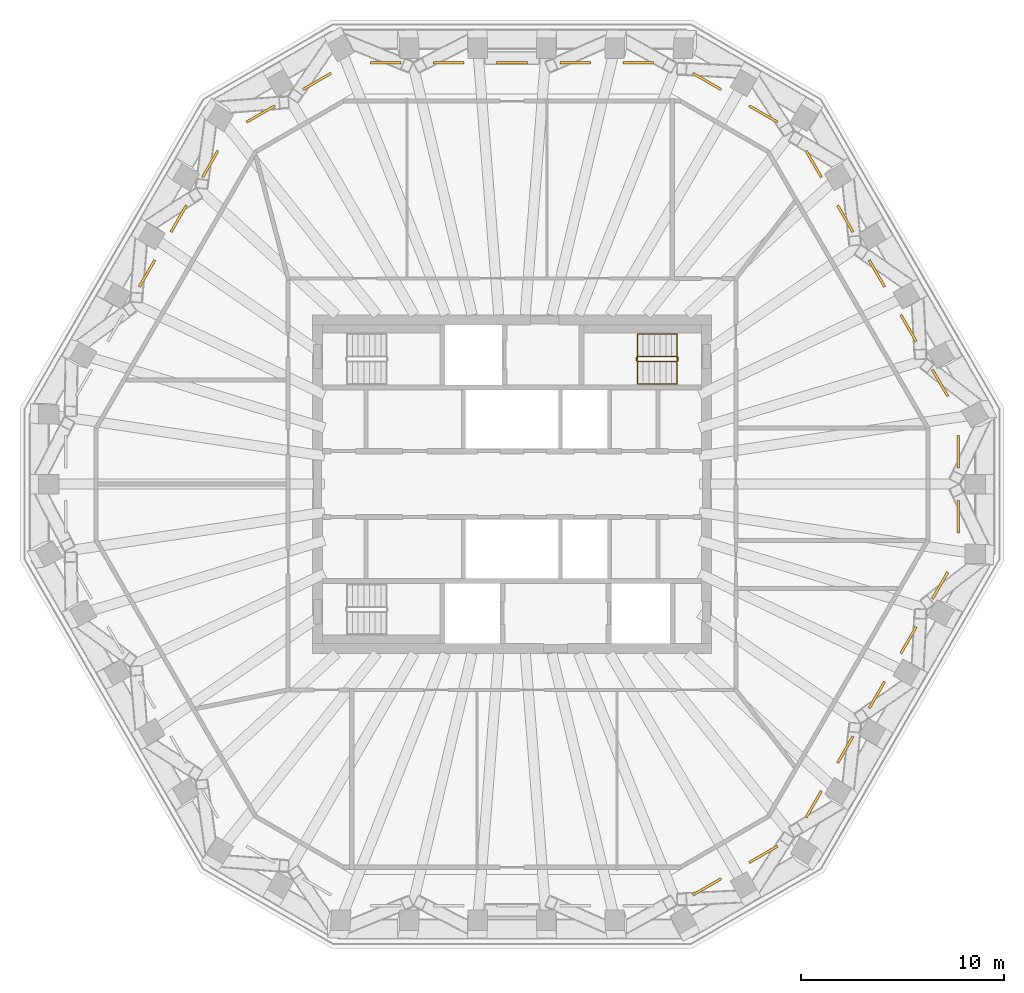
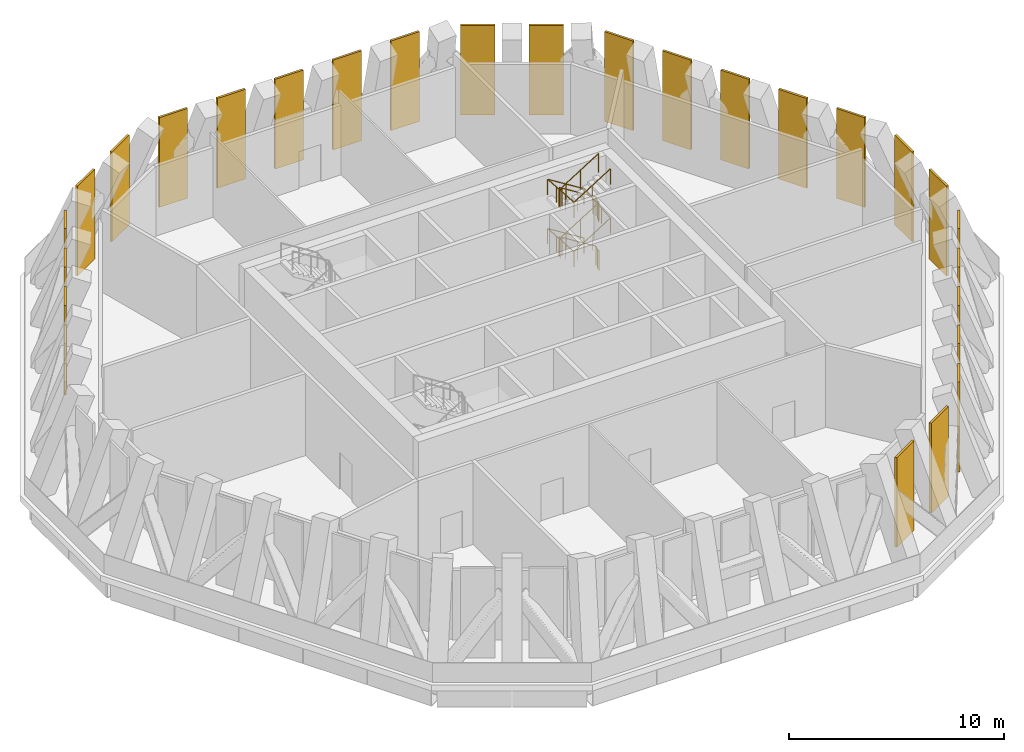
# One storey, part 9 of 9: 26 coverings, 2 railings.
"""IFC4 building model written with IfcOpenShell, lengths in metres."""

from ifc_helpers import new_model, si_unit, direction, frame, origin, origin_2d, place, context, subcontext, project, spatial, polyline, circle, outline, extrude, material, layer, layer_set, type_object, element, save


model = new_model("IFC4")

# Units and contexts
model_context = context("Model", 3, precision=1e-05, world=origin(), true_north=direction((0.0, 1.0)))
body_context = subcontext(model_context, "Body", "Model", "MODEL_VIEW")
ifc_project = project(units=[si_unit("LENGTHUNIT", "METRE"), si_unit("AREAUNIT", "SQUARE_METRE"), si_unit("VOLUMEUNIT", "CUBIC_METRE"), si_unit("PLANEANGLEUNIT", "RADIAN"), si_unit("MASSUNIT", "GRAM", prefix="KILO")], contexts=[model_context])

# Site, building, storey
site_placement = place(None, origin())
site = spatial("IfcSite", under=ifc_project, at=site_placement, CompositionType="ELEMENT")
building_placement = place(site_placement, origin())
building = spatial("IfcBuilding", under=site, at=building_placement, Name="Frailejon Research Tower", CompositionType="ELEMENT")
storey_placement = place(building_placement, frame((0.0, 0.0, 303.0)))
storey = spatial("IfcBuildingStorey", under=building, at=storey_placement, Name="L67", CompositionType="ELEMENT", Elevation=303.0)

# Coverings
ifc_material_1 = material(Name="Anodised aluminium louvres", Category="aluminium")
ifc_layer = layer(ifc_material_1, 0.1201171875)
ifc_layer_set = layer_set([ifc_layer], Name="Plant louvre screen 120")
covering_type = type_object("IfcCoveringType", Name="Plant louvre screen 120", PredefinedType="CLADDING", material=ifc_layer_set)
for number, where, z_axis, x_axis, name in (
    (1, (22.077392578125, -0.800048828125, 0.0), (0.0, -1.0, 0.0), (1.0, 0.0, 0.0), "Plant louvre screen L67"),
    (2, (22.077392578125, 2.406005859375, 0.0), (0.0, -1.0, 0.0), (1.0, 0.0, 0.0), "Plant louvre screen L67"),
):
    element("IfcCovering", number, at=place(storey_placement, frame(where, z_axis=z_axis, x_axis=x_axis)), inside=storey, type_object=covering_type, Name=name, PredefinedType="CLADDING", context=body_context, shape_type="SweptSolid", body=[
        extrude(outline(polyline([(-0.1201171875, 0.0), (0.0, 0.0), (0.0, 5.10009765625), (-0.1201171875, 5.10009765625), (-0.1201171875, 0.0)])), origin(), (0.0, 0.0, 1.0), 1.606201171875),
    ])
for number, where, z_axis, x_axis, name in (
    (3, (20.792724609375, 5.685791015625, 0.0), (0.499999433811, -0.866025730673, 0.0), (0.866025730673, 0.499999433811, 0.0), "Plant louvre screen L67"),
    (4, (19.2353515625, 8.38330078125, 0.0), (0.500009610163, -0.866019855283, 0.0), (0.866019855283, 0.500009610163, 0.0), "Plant louvre screen L67"),
    (5, (17.677978515625, 11.0810546875, 0.0), (0.499985532315, -0.866033756545, 0.0), (0.866033756545, 0.499985532315, 0.0), "Plant louvre screen L67"),
    (6, (16.120361328125, 13.778564453125, 0.0), (0.500009610163, -0.866019855283, 0.0), (0.866019855283, 0.500009610163, 0.0), "Plant louvre screen L67"),
    (7, (14.56298828125, 16.47607421875, 0.0), (0.499999433811, -0.866025730673, 0.0), (0.866025730673, 0.499999433811, 0.0), "Plant louvre screen L67"),
):
    element("IfcCovering", number, at=place(storey_placement, frame(where, z_axis=z_axis, x_axis=x_axis)), inside=storey, type_object=covering_type, Name=name, PredefinedType="CLADDING", context=body_context, shape_type="SweptSolid", body=[
        extrude(outline(polyline([(-0.1201171875, 0.0), (0.0, 0.0), (0.0, 5.10009765625), (-0.1201171875, 5.10009765625), (-0.1201171875, 0.0)])), origin(), (0.0, 0.0, 1.0), 1.514892578125),
    ])
for number, where, z_axis, x_axis, name in (
    (8, (11.731689453125, 18.7197265625, 0.0), (0.86601365609, -0.500020347052, 0.0), (0.500020347052, 0.86601365609, 0.0), "Plant louvre screen L67"),
    (9, (8.955078125, 20.32275390625, 0.0), (0.866034959906, -0.499983447946, 0.0), (0.499983447946, 0.866034959906, 0.0), "Plant louvre screen L67"),
):
    element("IfcCovering", number, at=place(storey_placement, frame(where, z_axis=z_axis, x_axis=x_axis)), inside=storey, type_object=covering_type, Name=name, PredefinedType="CLADDING", context=body_context, shape_type="SweptSolid", body=[
        extrude(outline(polyline([(-0.1201171875, 0.0), (0.0, 0.0), (0.0, 5.10009765625), (-0.1201171875, 5.10009765625), (-0.1201171875, 0.0)])), origin(), (0.0, 0.0, 1.0), 1.606201171875),
    ])
for number, where, z_axis, x_axis, name in (
    (10, (5.472412109375, 20.85009765625, 0.0), (1.0, 0.0, 0.0), (0.0, 1.0, 0.0), "Plant louvre screen L67"),
    (11, (2.357421875, 20.85009765625, 0.0), (1.0, 0.0, 0.0), (0.0, 1.0, 0.0), "Plant louvre screen L67"),
    (12, (-0.75732421875, 20.85009765625, 0.0), (1.0, 0.0, 0.0), (0.0, 1.0, 0.0), "Plant louvre screen L67"),
    (13, (-3.872314453125, 20.85009765625, 0.0), (1.0, 0.0, 0.0), (0.0, 1.0, 0.0), "Plant louvre screen L67"),
    (14, (-6.9873046875, 20.85009765625, 0.0), (1.0, 0.0, 0.0), (0.0, 1.0, 0.0), "Plant louvre screen L67"),
):
    element("IfcCovering", number, at=place(storey_placement, frame(where, z_axis=z_axis, x_axis=x_axis)), inside=storey, type_object=covering_type, Name=name, PredefinedType="CLADDING", context=body_context, shape_type="SweptSolid", body=[
        extrude(outline(polyline([(-0.1201171875, 0.0), (0.0, 0.0), (0.0, 5.10009765625), (-0.1201171875, 5.10009765625), (-0.1201171875, 0.0)])), origin(), (0.0, 0.0, 1.0), 1.514892578125),
    ])
for number, where, z_axis, x_axis, name in (
    (15, (-10.345947265625, 19.519775390625, 0.0), (0.866034959906, 0.499983447946, 0.0), (-0.499983447946, 0.866034959906, 0.0), "Plant louvre screen L67"),
    (16, (-13.12255859375, 17.91650390625, 0.0), (0.86601365609, 0.500020347052, 0.0), (-0.500020347052, 0.86601365609, 0.0), "Plant louvre screen L67"),
):
    element("IfcCovering", number, at=place(storey_placement, frame(where, z_axis=z_axis, x_axis=x_axis)), inside=storey, type_object=covering_type, Name=name, PredefinedType="CLADDING", context=body_context, shape_type="SweptSolid", body=[
        extrude(outline(polyline([(-0.1201171875, 0.0), (0.0, 0.0), (0.0, 5.10009765625), (-0.1201171875, 5.10009765625), (-0.1201171875, 0.0)])), origin(), (0.0, 0.0, 1.0), 1.606201171875),
    ])
for number, where, z_axis, x_axis, name in (
    (17, (-15.3203125, 15.164306640625, 0.0), (0.499999433811, 0.866025730673, 0.0), (-0.866025730673, 0.499999433811, 0.0), "Plant louvre screen L67"),
    (18, (-16.8779296875, 12.466552734375, 0.0), (0.500009610163, 0.866019855283, 0.0), (-0.866019855283, 0.500009610163, 0.0), "Plant louvre screen L67"),
    (19, (-18.435302734375, 9.76904296875, 0.0), (0.499985532315, 0.866033756545, 0.0), (-0.866033756545, 0.499985532315, 0.0), "Plant louvre screen L67"),
):
    element("IfcCovering", number, at=place(storey_placement, frame(where, z_axis=z_axis, x_axis=x_axis)), inside=storey, type_object=covering_type, Name=name, PredefinedType="CLADDING", context=body_context, shape_type="SweptSolid", body=[
        extrude(outline(polyline([(-0.1201171875, 0.0), (0.0, 0.0), (0.0, 5.10009765625), (-0.1201171875, 5.10009765625), (-0.1201171875, 0.0)])), origin(), (0.0, 0.0, 1.0), 1.514892578125),
    ])
for number, where, z_axis, x_axis, name in (
    (20, (10.345947265625, -19.519775390625, 0.0), (-0.866034959906, -0.499983447946, 0.0), (0.499983447946, -0.866034959906, 0.0), "Plant louvre screen L67"),
    (21, (13.12255859375, -17.91650390625, 0.0), (-0.86601365609, -0.500020347052, 0.0), (0.500020347052, -0.86601365609, 0.0), "Plant louvre screen L67"),
):
    element("IfcCovering", number, at=place(storey_placement, frame(where, z_axis=z_axis, x_axis=x_axis)), inside=storey, type_object=covering_type, Name=name, PredefinedType="CLADDING", context=body_context, shape_type="SweptSolid", body=[
        extrude(outline(polyline([(-0.1201171875, 0.0), (0.0, 0.0), (0.0, 5.10009765625), (-0.1201171875, 5.10009765625), (-0.1201171875, 0.0)])), origin(), (0.0, 0.0, 1.0), 1.606201171875),
    ])
for number, where, z_axis, x_axis, name in (
    (22, (15.3203125, -15.164306640625, 0.0), (-0.499999433811, -0.866025730673, 0.0), (0.866025730673, -0.499999433811, 0.0), "Plant louvre screen L67"),
    (23, (16.8779296875, -12.466552734375, 0.0), (-0.500009610163, -0.866019855283, 0.0), (0.866019855283, -0.500009610163, 0.0), "Plant louvre screen L67"),
    (24, (18.435302734375, -9.76904296875, 0.0), (-0.499985532315, -0.866033756545, 0.0), (0.866033756545, -0.499985532315, 0.0), "Plant louvre screen L67"),
    (25, (19.992919921875, -7.0712890625, 0.0), (-0.500009610163, -0.866019855283, 0.0), (0.866019855283, -0.500009610163, 0.0), "Plant louvre screen L67"),
    (26, (21.55029296875, -4.373779296875, 0.0), (-0.499999433811, -0.866025730673, 0.0), (0.866025730673, -0.499999433811, 0.0), "Plant louvre screen L67"),
):
    element("IfcCovering", number, at=place(storey_placement, frame(where, z_axis=z_axis, x_axis=x_axis)), inside=storey, type_object=covering_type, Name=name, PredefinedType="CLADDING", context=body_context, shape_type="SweptSolid", body=[
        extrude(outline(polyline([(-0.1201171875, 0.0), (0.0, 0.0), (0.0, 5.10009765625), (-0.1201171875, 5.10009765625), (-0.1201171875, 0.0)])), origin(), (0.0, 0.0, 1.0), 1.514892578125),
    ])

# Railings
ifc_material_2 = material(Name="Stainless steel", Category="steel")
railing_type_1 = type_object("IfcRailingType", Name="Stair guard 1100", PredefinedType="GUARDRAIL", material=ifc_material_2)
railing_1_placement = place(storey_placement, frame((8.199951171875, 6.10009765625, 0.0)))
element("IfcRailing", 27, at=railing_1_placement, inside=storey, type_object=railing_type_1, Name="L67 ST3 stair guard 1", PredefinedType="GUARDRAIL", context=body_context, shape_type="SweptSolid", body=[
    extrude(circle(Radius=0.02392578125, at=origin_2d()), frame((0.0, 0.0, 1.076171875), z_axis=(0.0, 1.0, 0.0), x_axis=(-1.0, 0.0, 0.0)), (0.0, 0.0, 1.0), 0.14990234375),
    extrude(circle(Radius=0.02392578125, at=origin_2d()), frame((0.0, 0.14990234375, 1.076171875), z_axis=(-0.265065253269, 0.265065253269, 0.927081885822), x_axis=(-0.707106781187, -0.707106781187, 0.0)), (0.0, 0.0, 1.0), 0.188720703125),
    extrude(circle(Radius=0.02392578125, at=origin_2d()), frame((-0.050048828125, 0.199951171875, 1.2509765625), z_axis=(-0.848022040916, 0.0, 0.529960959053), x_axis=(0.0, -1.0, 0.0)), (0.0, 0.0, 1.0), 2.311279296875),
    extrude(circle(Radius=0.02392578125, at=origin_2d()), frame((-2.010009765625, 0.199951171875, 2.47607421875), z_axis=(-0.707106781187, -0.707106781187, 0.0), x_axis=(0.707106781187, -0.707106781187, 0.0)), (0.0, 0.0, 1.0), 0.07080078125),
    extrude(circle(Radius=0.02392578125, at=origin_2d()), frame((-2.06005859375, 0.14990234375, 2.47607421875), z_axis=(0.0, -1.0, 0.0), x_axis=(1.0, 0.0, 0.0)), (0.0, 0.0, 1.0), 0.14990234375),
    extrude(circle(Radius=0.02392578125, at=origin_2d()), frame((-2.06005859375, 0.0, 2.47607421875), z_axis=(0.265065253269, -0.265065253269, 0.927081885822), x_axis=(0.707106781187, 0.707106781187, 0.0)), (0.0, 0.0, 1.0), 0.188720703125),
    extrude(circle(Radius=0.02392578125, at=origin_2d()), frame((-2.010009765625, -0.050048828125, 2.65087890625), z_axis=(0.847974566722, 0.0, 0.530036917764), x_axis=(0.0, 1.0, 0.0)), (0.0, 0.0, 1.0), 2.311279296875),
    extrude(circle(Radius=0.02392578125, at=origin_2d()), frame((-0.050048828125, -0.050048828125, 3.8759765625), z_axis=(0.707106781187, 0.707106781187, 0.0), x_axis=(-0.707106781187, 0.707106781187, 0.0)), (0.0, 0.0, 1.0), 0.07080078125),
    extrude(circle(Radius=0.02392578125, at=origin_2d()), frame((0.0, 0.0, 3.8759765625), z_axis=(0.0, 1.0, 0.0), x_axis=(-1.0, 0.0, 0.0)), (0.0, 0.0, 1.0), 0.14990234375),
    extrude(circle(Radius=0.02392578125, at=origin_2d()), frame((0.0, 0.14990234375, 3.8759765625), z_axis=(-0.265065253269, 0.265065253269, 0.927081885822), x_axis=(-0.707106781187, -0.707106781187, 0.0)), (0.0, 0.0, 1.0), 0.188720703125),
    extrude(circle(Radius=0.02392578125, at=origin_2d()), frame((-0.050048828125, 0.199951171875, 4.05126953125), z_axis=(-0.848022040916, 0.0, 0.529960959053), x_axis=(0.0, -1.0, 0.0)), (0.0, 0.0, 1.0), 2.311279296875),
    extrude(circle(Radius=0.02392578125, at=origin_2d()), frame((-2.010009765625, 0.199951171875, 5.27587890625), z_axis=(-0.707106781187, -0.707106781187, 0.0), x_axis=(0.707106781187, -0.707106781187, 0.0)), (0.0, 0.0, 1.0), 0.07080078125),
    extrude(circle(Radius=0.02392578125, at=origin_2d()), frame((-2.06005859375, 0.14990234375, 5.27587890625), z_axis=(0.0, -1.0, 0.0), x_axis=(1.0, 0.0, 0.0)), (0.0, 0.0, 1.0), 0.14990234375),
    extrude(circle(Radius=0.02392578125, at=origin_2d()), frame((-2.06005859375, 0.0, 5.27587890625), z_axis=(0.265065253269, -0.265065253269, 0.927081885822), x_axis=(0.707106781187, 0.707106781187, 0.0)), (0.0, 0.0, 1.0), 0.188720703125),
    extrude(circle(Radius=0.02392578125, at=origin_2d()), frame((-2.010009765625, -0.050048828125, 5.451171875), z_axis=(0.847974566722, 0.0, 0.530036917764), x_axis=(0.0, 1.0, 0.0)), (0.0, 0.0, 1.0), 2.311279296875),
    extrude(circle(Radius=0.02099609375, at=origin_2d()), origin(), (0.0, 0.0, 1.0), 1.052001953125),
    extrude(circle(Radius=0.02099609375, at=origin_2d()), frame((0.0, 0.14990234375, 0.0)), (0.0, 0.0, 1.0), 1.052001953125),
    extrude(circle(Radius=0.02099609375, at=origin_2d()), frame((-0.050048828125, 0.199951171875, 0.175048828125)), (0.0, 0.0, 1.0), 1.052001953125),
    extrude(circle(Radius=0.02099609375, at=origin_2d()), frame((-1.030029296875, 0.199951171875, 0.78759765625)), (0.0, 0.0, 1.0), 1.052001953125),
    extrude(circle(Radius=0.02099609375, at=origin_2d()), frame((-2.010009765625, 0.199951171875, 1.39990234375)), (0.0, 0.0, 1.0), 1.052001953125),
    extrude(circle(Radius=0.02099609375, at=origin_2d()), frame((-2.06005859375, 0.14990234375, 1.39990234375)), (0.0, 0.0, 1.0), 1.052001953125),
    extrude(circle(Radius=0.02099609375, at=origin_2d()), frame((-2.06005859375, 0.0, 1.39990234375)), (0.0, 0.0, 1.0), 1.052001953125),
    extrude(circle(Radius=0.02099609375, at=origin_2d()), frame((-2.010009765625, -0.050048828125, 1.574951171875)), (0.0, 0.0, 1.0), 1.052001953125),
    extrude(circle(Radius=0.02099609375, at=origin_2d()), frame((-1.030029296875, -0.050048828125, 2.1875)), (0.0, 0.0, 1.0), 1.052001953125),
    extrude(circle(Radius=0.02099609375, at=origin_2d()), frame((-0.050048828125, -0.050048828125, 2.800048828125)), (0.0, 0.0, 1.0), 1.052001953125),
    extrude(circle(Radius=0.02099609375, at=origin_2d()), frame((0.0, 0.0, 2.800048828125)), (0.0, 0.0, 1.0), 1.052001953125),
    extrude(circle(Radius=0.02099609375, at=origin_2d()), frame((0.0, 0.14990234375, 2.800048828125)), (0.0, 0.0, 1.0), 1.052001953125),
    extrude(circle(Radius=0.02099609375, at=origin_2d()), frame((-0.050048828125, 0.199951171875, 2.97509765625)), (0.0, 0.0, 1.0), 1.052001953125),
    extrude(circle(Radius=0.02099609375, at=origin_2d()), frame((-1.030029296875, 0.199951171875, 3.58740234375)), (0.0, 0.0, 1.0), 1.052001953125),
    extrude(circle(Radius=0.02099609375, at=origin_2d()), frame((-2.010009765625, 0.199951171875, 4.199951171875)), (0.0, 0.0, 1.0), 1.052001953125),
    extrude(circle(Radius=0.02099609375, at=origin_2d()), frame((-2.06005859375, 0.14990234375, 4.199951171875)), (0.0, 0.0, 1.0), 1.052001953125),
    extrude(circle(Radius=0.02099609375, at=origin_2d()), frame((-2.06005859375, 0.0, 4.199951171875)), (0.0, 0.0, 1.0), 1.052001953125),
    extrude(circle(Radius=0.02099609375, at=origin_2d()), frame((-2.010009765625, -0.050048828125, 4.375)), (0.0, 0.0, 1.0), 1.052001953125),
    extrude(circle(Radius=0.02099609375, at=origin_2d()), frame((-1.030029296875, -0.050048828125, 4.987548828125)), (0.0, 0.0, 1.0), 1.052001953125),
    extrude(circle(Radius=0.02099609375, at=origin_2d()), frame((-0.050048828125, -0.050048828125, 5.60009765625)), (0.0, 0.0, 1.0), 1.052001953125),
])
ifc_material_3 = material(Name="Stainless steel", Category="steel")
railing_type_2 = type_object("IfcRailingType", Name="Stair handrail 900", PredefinedType="HANDRAIL", material=ifc_material_3)
railing_2_placement = place(storey_placement, frame((8.14990234375, 7.39990234375, 0.175048828125)))
element("IfcRailing", 28, at=railing_2_placement, inside=storey, type_object=railing_type_2, Name="L67 ST3 stair handrail 1", PredefinedType="HANDRAIL", context=body_context, shape_type="SweptSolid", body=[
    extrude(circle(Radius=0.02392578125, at=origin_2d()), frame((0.0, 0.0, 0.8759765625), z_axis=(-0.848022040916, 0.0, 0.529960959053), x_axis=(0.0, -1.0, 0.0)), (0.0, 0.0, 1.0), 2.311279296875),
    extrude(circle(Radius=0.02392578125, at=origin_2d()), frame((-1.9599609375, 0.0, 2.1005859375), z_axis=(0.0, -0.997457185933, 0.071268241387), x_axis=(1.0, 0.0, 0.0)), (0.0, 0.0, 1.0), 2.456298828125),
    extrude(circle(Radius=0.02392578125, at=origin_2d()), frame((-1.9599609375, -2.449951171875, 2.27587890625), z_axis=(0.847974566722, 0.0, 0.530036917764), x_axis=(0.0, 1.0, 0.0)), (0.0, 0.0, 1.0), 2.311279296875),
    extrude(circle(Radius=0.02392578125, at=origin_2d()), frame((0.0, -2.449951171875, 3.5009765625), z_axis=(0.0, 0.997457185933, 0.071268241387), x_axis=(-1.0, 0.0, 0.0)), (0.0, 0.0, 1.0), 2.456298828125),
    extrude(circle(Radius=0.02392578125, at=origin_2d()), frame((0.0, 0.0, 3.67578125), z_axis=(-0.848022040916, 0.0, 0.529960959053), x_axis=(0.0, -1.0, 0.0)), (0.0, 0.0, 1.0), 2.311279296875),
    extrude(circle(Radius=0.02392578125, at=origin_2d()), frame((-1.9599609375, 0.0, 4.90087890625), z_axis=(0.0, -0.997457185933, 0.071268241387), x_axis=(1.0, 0.0, 0.0)), (0.0, 0.0, 1.0), 2.456298828125),
    extrude(circle(Radius=0.02392578125, at=origin_2d()), frame((-1.9599609375, -2.449951171875, 5.07568359375), z_axis=(0.847974566722, 0.0, 0.530036917764), x_axis=(0.0, 1.0, 0.0)), (0.0, 0.0, 1.0), 2.311279296875),
    extrude(circle(Radius=0.02099609375, at=origin_2d()), origin(), (0.0, 0.0, 1.0), 0.851806640625),
    extrude(circle(Radius=0.02099609375, at=origin_2d()), frame((-0.97998046875, 0.0, 0.6123046875)), (0.0, 0.0, 1.0), 0.851806640625),
    extrude(circle(Radius=0.02099609375, at=origin_2d()), frame((-1.9599609375, 0.0, 1.224853515625)), (0.0, 0.0, 1.0), 0.851806640625),
    extrude(circle(Radius=0.02099609375, at=origin_2d()), frame((-1.9599609375, -0.816650390625, 1.283203125)), (0.0, 0.0, 1.0), 0.851806640625),
    extrude(circle(Radius=0.02099609375, at=origin_2d()), frame((-1.9599609375, -1.63330078125, 1.341552734375)), (0.0, 0.0, 1.0), 0.851806640625),
    extrude(circle(Radius=0.02099609375, at=origin_2d()), frame((-1.9599609375, -2.449951171875, 1.39990234375)), (0.0, 0.0, 1.0), 0.851806640625),
    extrude(circle(Radius=0.02099609375, at=origin_2d()), frame((-0.97998046875, -2.449951171875, 2.012451171875)), (0.0, 0.0, 1.0), 0.851806640625),
    extrude(circle(Radius=0.02099609375, at=origin_2d()), frame((0.0, -2.449951171875, 2.625)), (0.0, 0.0, 1.0), 0.851806640625),
    extrude(circle(Radius=0.02099609375, at=origin_2d()), frame((0.0, -1.63330078125, 2.683349609375)), (0.0, 0.0, 1.0), 0.851806640625),
    extrude(circle(Radius=0.02099609375, at=origin_2d()), frame((0.0, -0.816650390625, 2.74169921875)), (0.0, 0.0, 1.0), 0.851806640625),
    extrude(circle(Radius=0.02099609375, at=origin_2d()), frame((0.0, 0.0, 2.800048828125)), (0.0, 0.0, 1.0), 0.851806640625),
    extrude(circle(Radius=0.02099609375, at=origin_2d()), frame((-0.97998046875, 0.0, 3.41259765625)), (0.0, 0.0, 1.0), 0.851806640625),
    extrude(circle(Radius=0.02099609375, at=origin_2d()), frame((-1.9599609375, 0.0, 4.02490234375)), (0.0, 0.0, 1.0), 0.851806640625),
    extrude(circle(Radius=0.02099609375, at=origin_2d()), frame((-1.9599609375, -0.816650390625, 4.083251953125)), (0.0, 0.0, 1.0), 0.851806640625),
    extrude(circle(Radius=0.02099609375, at=origin_2d()), frame((-1.9599609375, -1.63330078125, 4.1416015625)), (0.0, 0.0, 1.0), 0.851806640625),
    extrude(circle(Radius=0.02099609375, at=origin_2d()), frame((-1.9599609375, -2.449951171875, 4.199951171875)), (0.0, 0.0, 1.0), 0.851806640625),
    extrude(circle(Radius=0.02099609375, at=origin_2d()), frame((-0.97998046875, -2.449951171875, 4.8125)), (0.0, 0.0, 1.0), 0.851806640625),
    extrude(circle(Radius=0.02099609375, at=origin_2d()), frame((0.0, -2.449951171875, 5.425048828125)), (0.0, 0.0, 1.0), 0.851806640625),
])

save(model, "model.ifc")
